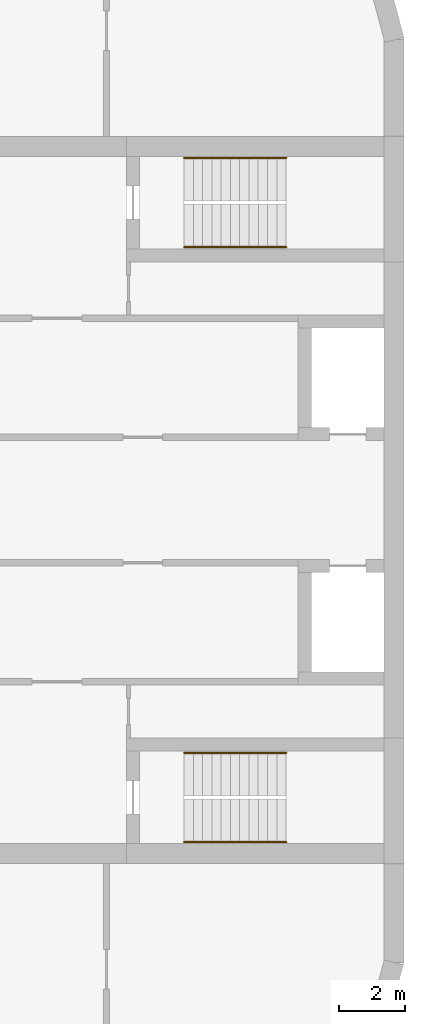
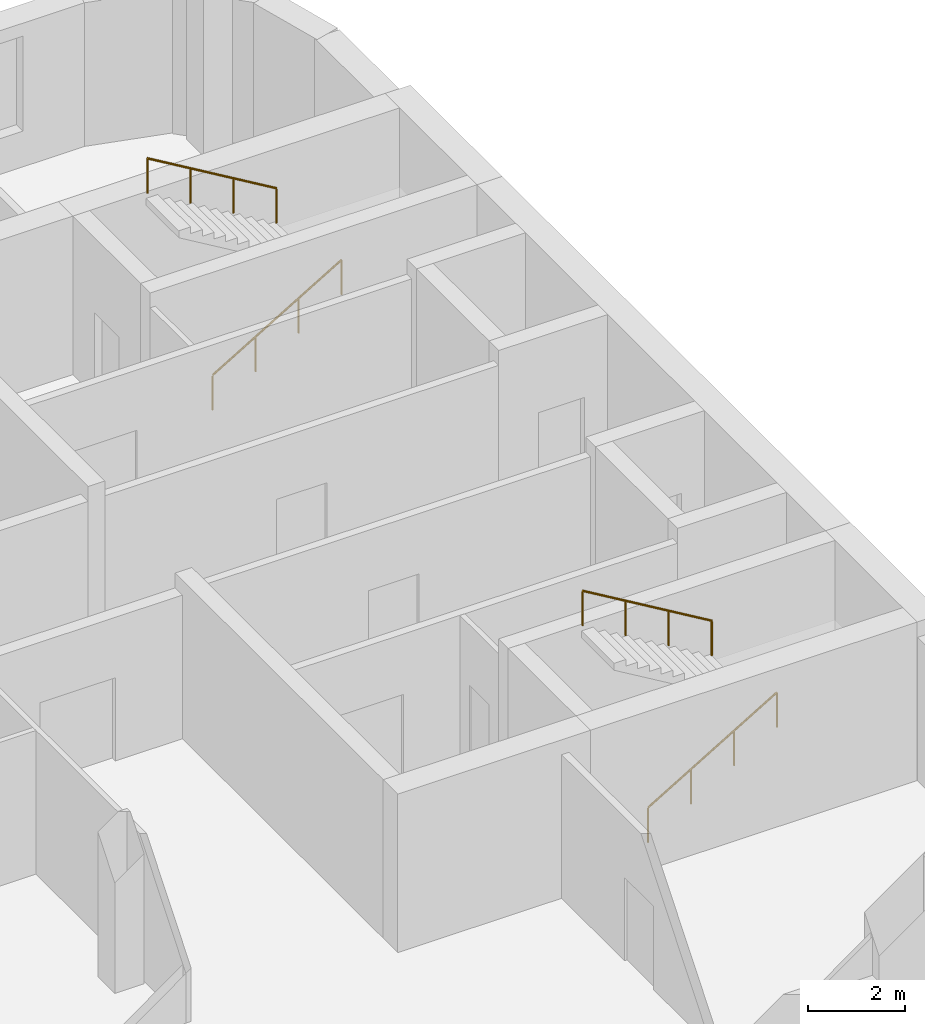
# One storey, part 14 of 16: 4 railings.
"""IFC4 building model written with IfcOpenShell, lengths in metres."""

import ifcopenshell
import ifcopenshell.guid

model = None  # the IFC model being written
_history = None  # IfcOwnerHistory: only IFC2X3 demands one
_inside = {}  # id of a spatial element -> (the spatial element, [elements in it])
_under = {}  # id of a project, library or spatial element -> (it, [spatial elements below it])
_declared = {}  # id of a project -> (the project, [libraries it declares])
_typed = {}  # id of a type object -> (the type object, [elements of that type])
_made_of = {}  # id of a material, layer set ... -> (it, [elements and type objects made of it])


def new_model(schema):
    """Start an empty IFC model of exactly this schema.

    Asked for "IFC4X3", IfcOpenShell would pick the latest addendum, in which some entities
    have other attributes; the version numbers below select the first issue.
    IFC2X3 requires an IfcOwnerHistory on every rooted entity: one is made here for all.
    """
    global model, _history
    if schema == "IFC4X3":
        model = ifcopenshell.file(schema_version=(4, 3, 0, 0))
    else:
        model = ifcopenshell.file(schema=schema)
    _inside.clear()
    _under.clear()
    _declared.clear()
    _typed.clear()
    _made_of.clear()
    _history = None
    if model.schema == "IFC2X3":
        org = make("IfcOrganization", Name="unknown")
        user = make(
            "IfcPersonAndOrganization",
            ThePerson=make("IfcPerson", FamilyName="unknown"),
            TheOrganization=org,
        )
        app = make(
            "IfcApplication",
            ApplicationDeveloper=org,
            Version="unknown",
            ApplicationFullName="unknown",
            ApplicationIdentifier="unknown",
        )
        _history = make(
            "IfcOwnerHistory",
            OwningUser=user,
            OwningApplication=app,
            ChangeAction="ADDED",
            CreationDate=0,
        )
    return model


def make(cls, **values):
    """One entity of the class cls with the attributes given. An attribute that is None is left unset."""
    return model.create_entity(
        cls, **{name: value for name, value in values.items() if value is not None}
    )


def rooted(cls, **values):
    """An entity with a GlobalId (a new one), such as an element, a storey or a relation."""
    return make(cls, GlobalId=ifcopenshell.guid.new(), OwnerHistory=_history, **values)


def si_unit(unit_type, name, prefix=None):
    """IfcSIUnit, for example si_unit("LENGTHUNIT", "METRE", prefix="MILLI")."""
    return make("IfcSIUnit", UnitType=unit_type, Prefix=prefix, Name=name)


def assignment(units):
    """IfcUnitAssignment: the units of a project."""
    return None if units is None else make("IfcUnitAssignment", Units=units)


def point(xyz):
    """IfcCartesianPoint."""
    return None if xyz is None else make("IfcCartesianPoint", Coordinates=xyz)


def direction(xyz):
    """IfcDirection."""
    return None if xyz is None else make("IfcDirection", DirectionRatios=xyz)


def frame(location, z_axis=None, x_axis=None):
    """IfcAxis2Placement3D, a coordinate frame: its origin and axes. An axis left out is left unset."""
    return make(
        "IfcAxis2Placement3D",
        Location=point(location),
        Axis=direction(z_axis),
        RefDirection=direction(x_axis),
    )


def frame_2d(location, x_axis=None):
    """IfcAxis2Placement2D, a coordinate frame in the plane: its origin and x axis."""
    return make(
        "IfcAxis2Placement2D", Location=point(location), RefDirection=direction(x_axis)
    )


def origin():
    """The frame at (0, 0, 0) with its axes left unset."""
    return frame((0.0, 0.0, 0.0))


def origin_2d():
    """The frame at (0, 0) in the plane with its x axis left unset."""
    return frame_2d((0.0, 0.0))


def place(relative_to, where):
    """IfcLocalPlacement: puts the frame where relative to a parent placement (None: the world)."""
    return make(
        "IfcLocalPlacement", PlacementRelTo=relative_to, RelativePlacement=where
    )


def context(
    kind, dimensions, precision=None, world=None, true_north=None, identifier=None
):
    """IfcGeometricRepresentationContext, for example the 3D "Model" context."""
    return make(
        "IfcGeometricRepresentationContext",
        ContextIdentifier=identifier,
        ContextType=kind,
        CoordinateSpaceDimension=dimensions,
        Precision=precision,
        WorldCoordinateSystem=world,
        TrueNorth=true_north,
    )


def subcontext(parent, identifier, kind, view, scale=None):
    """IfcGeometricRepresentationSubContext, for example "Body" below "Model"."""
    return make(
        "IfcGeometricRepresentationSubContext",
        ContextIdentifier=identifier,
        ContextType=kind,
        ParentContext=parent,
        TargetScale=scale,
        TargetView=view,
    )


def project(units=None, contexts=None):
    """IfcProject with its units and contexts."""
    return rooted(
        "IfcProject",
        Name="project",
        RepresentationContexts=contexts,
        UnitsInContext=assignment(units),
    )


def spatial(cls, under=None, at=None, **own):
    """A site, building, storey or space (cls), placed at a placement, below another one or the project."""
    s = rooted(cls, ObjectPlacement=at, **own)
    if under is not None:
        _under.setdefault(under.id(), (under, []))[1].append(s)
    return s


def profile(cls, at=None, kind="AREA", **sizes):
    """A parametric profile (cls). Its sizes go by their IFC names, for example OverallWidth=200.0."""
    return make(cls, ProfileType=kind, Position=at, **sizes)


def circle(**sizes):
    """IfcCircleProfileDef."""
    return profile("IfcCircleProfileDef", **sizes)


def extrude(swept, where, along, depth):
    """IfcExtrudedAreaSolid: the profile swept, set in the frame where, extruded along a direction by depth."""
    return make(
        "IfcExtrudedAreaSolid",
        SweptArea=swept,
        Position=where,
        ExtrudedDirection=direction(along),
        Depth=depth,
    )


def shape(context_of_items, identifier, shape_type, items):
    """IfcShapeRepresentation: the items that make up one representation, for example the "Body"."""
    return make(
        "IfcShapeRepresentation",
        ContextOfItems=context_of_items,
        RepresentationIdentifier=identifier,
        RepresentationType=shape_type,
        Items=items,
    )


def material(Name=None, Category=None):
    """IfcMaterial."""
    return make("IfcMaterial", Name=Name, Category=Category)


def made_of(thing, what):
    """Note that an element or type object is made of a material, layer set ...; save() writes the relation."""
    if what is not None:
        _made_of.setdefault(what.id(), (what, []))[1].append(thing)
    return thing


def type_object(cls, material=None, **own):
    """A type object (cls), such as IfcWallType, which elements share."""
    return made_of(rooted(cls, **own), material)


def element(
    cls,
    number,
    at=None,
    inside=None,
    cuts=None,
    type_object=None,
    material=None,
    context=None,
    identifier="Body",
    shape_type=None,
    held_by="IfcProductDefinitionShape",
    body=None,
    shapes=None,
    **own,
):
    """One element of the class cls, such as IfcWall. Its Tag is "e" and its number.

    at: its placement. inside: the storey or other place that contains it. cuts: it is an
    opening in that element (IfcRelVoidsElement). A single representation is given by context,
    identifier, shape_type and body (its items); several are given by shapes. held_by: the class
    of the entity that holds the representations. save() writes the other relations.
    """
    e = rooted(cls, Tag="e%d" % number, ObjectPlacement=at, **own)
    if body is not None:
        shapes = [shape(context, identifier, shape_type, body)]
    if shapes is not None:
        e.Representation = make(held_by, Representations=shapes)
    if inside is not None:
        _inside.setdefault(inside.id(), (inside, []))[1].append(e)
    if cuts is not None:
        rooted(
            "IfcRelVoidsElement", RelatingBuildingElement=cuts, RelatedOpeningElement=e
        )
    if type_object is not None:
        _typed.setdefault(type_object.id(), (type_object, []))[1].append(e)
    return made_of(e, material)


def aggregate(whole, parts):
    """IfcRelAggregates: a whole, such as a stair, and the parts it consists of."""
    return rooted("IfcRelAggregates", RelatingObject=whole, RelatedObjects=parts)


def save(model, path):
    """Write the relations noted so far, then the file.

    IfcRelAggregates (storeys below a building ...), IfcRelContainedInSpatialStructure (elements
    in a storey), IfcRelDefinesByType, IfcRelAssociatesMaterial and IfcRelDeclares: one each for
    every whole, place, type object, material and project.
    """
    for whole, parts in _under.values():
        aggregate(whole, parts)
    for where, things in _inside.values():
        rooted(
            "IfcRelContainedInSpatialStructure",
            RelatedElements=things,
            RelatingStructure=where,
        )
    for kind, things in _typed.values():
        rooted("IfcRelDefinesByType", RelatedObjects=things, RelatingType=kind)
    for what, things in _made_of.values():
        rooted("IfcRelAssociatesMaterial", RelatedObjects=things, RelatingMaterial=what)
    for by, libraries in _declared.values():
        rooted("IfcRelDeclares", RelatingContext=by, RelatedDefinitions=libraries)
    model.write(path)


model = new_model("IFC4")

# Units and contexts
model_context = context("Model", 3, precision=1e-05, world=origin(), true_north=direction((0.0, 1.0)))
body_context = subcontext(model_context, "Body", "Model", "MODEL_VIEW")
ifc_project = project(units=[si_unit("LENGTHUNIT", "METRE"), si_unit("AREAUNIT", "SQUARE_METRE"), si_unit("VOLUMEUNIT", "CUBIC_METRE"), si_unit("PLANEANGLEUNIT", "RADIAN"), si_unit("MASSUNIT", "GRAM", prefix="KILO")], contexts=[model_context])

# Site, building, storey
site_placement = place(None, origin())
site = spatial("IfcSite", under=ifc_project, at=site_placement, CompositionType="ELEMENT")
building_placement = place(site_placement, origin())
building = spatial("IfcBuilding", under=site, at=building_placement, Name="Skarvind Civic Tower", CompositionType="ELEMENT")
storey_placement = place(building_placement, frame((0.0, 0.0, 81.0)))
storey = spatial("IfcBuildingStorey", under=building, at=storey_placement, Name="L18", CompositionType="ELEMENT", Elevation=81.0)

# Railings
ifc_material = material(Name="Painted steel handrail", Category="steel")
railing_type = type_object("IfcRailingType", Name="Stair handrail 900", PredefinedType="HANDRAIL", material=ifc_material)
railing_1_placement = place(storey_placement, frame((160.35009765625, 135.64990234375, 0.166748046875)))
element("IfcRailing", 1, at=railing_1_placement, inside=storey, type_object=railing_type, Name="Stair handrail", PredefinedType="HANDRAIL", context=body_context, shape_type="SweptSolid", body=[
    extrude(circle(Radius=0.02392578125, at=origin_2d()), frame((0.0, 0.0, 0.8759765625), z_axis=(0.859290745958, 0.0, 0.51148745235), x_axis=(0.0, 1.0, 0.0)), (0.0, 0.0, 1.0), 3.584228515625),
    extrude(circle(Radius=0.02099609375, at=origin_2d()), origin(), (0.0, 0.0, 1.0), 0.851806640625),
    extrude(circle(Radius=0.02099609375, at=origin_2d()), frame((1.026611328125, 0.0, 0.611083984375)), (0.0, 0.0, 1.0), 0.851806640625),
    extrude(circle(Radius=0.02099609375, at=origin_2d()), frame((2.05322265625, 0.0, 1.22216796875)), (0.0, 0.0, 1.0), 0.851806640625),
    extrude(circle(Radius=0.02099609375, at=origin_2d()), frame((3.079833984375, 0.0, 1.833251953125)), (0.0, 0.0, 1.0), 0.851806640625),
])
railing_2_placement = place(storey_placement, frame((163.429931640625, 138.35009765625, 2.166748046875)))
element("IfcRailing", 2, at=railing_2_placement, inside=storey, type_object=railing_type, Name="Stair handrail", PredefinedType="HANDRAIL", context=body_context, shape_type="SweptSolid", body=[
    extrude(circle(Radius=0.02392578125, at=origin_2d()), frame((0.0, 0.0, 0.8759765625), z_axis=(-0.859290745958, 0.0, 0.51148745235), x_axis=(0.0, -1.0, 0.0)), (0.0, 0.0, 1.0), 3.584228515625),
    extrude(circle(Radius=0.02099609375, at=origin_2d()), origin(), (0.0, 0.0, 1.0), 0.851806640625),
    extrude(circle(Radius=0.02099609375, at=origin_2d()), frame((-1.026611328125, 0.0, 0.611083984375)), (0.0, 0.0, 1.0), 0.851806640625),
    extrude(circle(Radius=0.02099609375, at=origin_2d()), frame((-2.05322265625, 0.0, 1.22216796875)), (0.0, 0.0, 1.0), 0.851806640625),
    extrude(circle(Radius=0.02099609375, at=origin_2d()), frame((-3.079833984375, 0.0, 1.833251953125)), (0.0, 0.0, 1.0), 0.851806640625),
])
railing_3_placement = place(storey_placement, frame((160.35009765625, 117.64990234375, 0.166748046875)))
element("IfcRailing", 3, at=railing_3_placement, inside=storey, type_object=railing_type, Name="Stair handrail", PredefinedType="HANDRAIL", context=body_context, shape_type="SweptSolid", body=[
    extrude(circle(Radius=0.02392578125, at=origin_2d()), frame((0.0, 0.0, 0.8759765625), z_axis=(0.859290745958, 0.0, 0.51148745235), x_axis=(0.0, 1.0, 0.0)), (0.0, 0.0, 1.0), 3.584228515625),
    extrude(circle(Radius=0.02099609375, at=origin_2d()), origin(), (0.0, 0.0, 1.0), 0.851806640625),
    extrude(circle(Radius=0.02099609375, at=origin_2d()), frame((1.026611328125, 0.0, 0.611083984375)), (0.0, 0.0, 1.0), 0.851806640625),
    extrude(circle(Radius=0.02099609375, at=origin_2d()), frame((2.05322265625, 0.0, 1.22216796875)), (0.0, 0.0, 1.0), 0.851806640625),
    extrude(circle(Radius=0.02099609375, at=origin_2d()), frame((3.079833984375, 0.0, 1.833251953125)), (0.0, 0.0, 1.0), 0.851806640625),
])
railing_4_placement = place(storey_placement, frame((163.429931640625, 120.35009765625, 2.166748046875)))
element("IfcRailing", 4, at=railing_4_placement, inside=storey, type_object=railing_type, Name="Stair handrail", PredefinedType="HANDRAIL", context=body_context, shape_type="SweptSolid", body=[
    extrude(circle(Radius=0.02392578125, at=origin_2d()), frame((0.0, 0.0, 0.8759765625), z_axis=(-0.859290745958, 0.0, 0.51148745235), x_axis=(0.0, -1.0, 0.0)), (0.0, 0.0, 1.0), 3.584228515625),
    extrude(circle(Radius=0.02099609375, at=origin_2d()), origin(), (0.0, 0.0, 1.0), 0.851806640625),
    extrude(circle(Radius=0.02099609375, at=origin_2d()), frame((-1.026611328125, 0.0, 0.611083984375)), (0.0, 0.0, 1.0), 0.851806640625),
    extrude(circle(Radius=0.02099609375, at=origin_2d()), frame((-2.05322265625, 0.0, 1.22216796875)), (0.0, 0.0, 1.0), 0.851806640625),
    extrude(circle(Radius=0.02099609375, at=origin_2d()), frame((-3.079833984375, 0.0, 1.833251953125)), (0.0, 0.0, 1.0), 0.851806640625),
])

save(model, "model.ifc")
